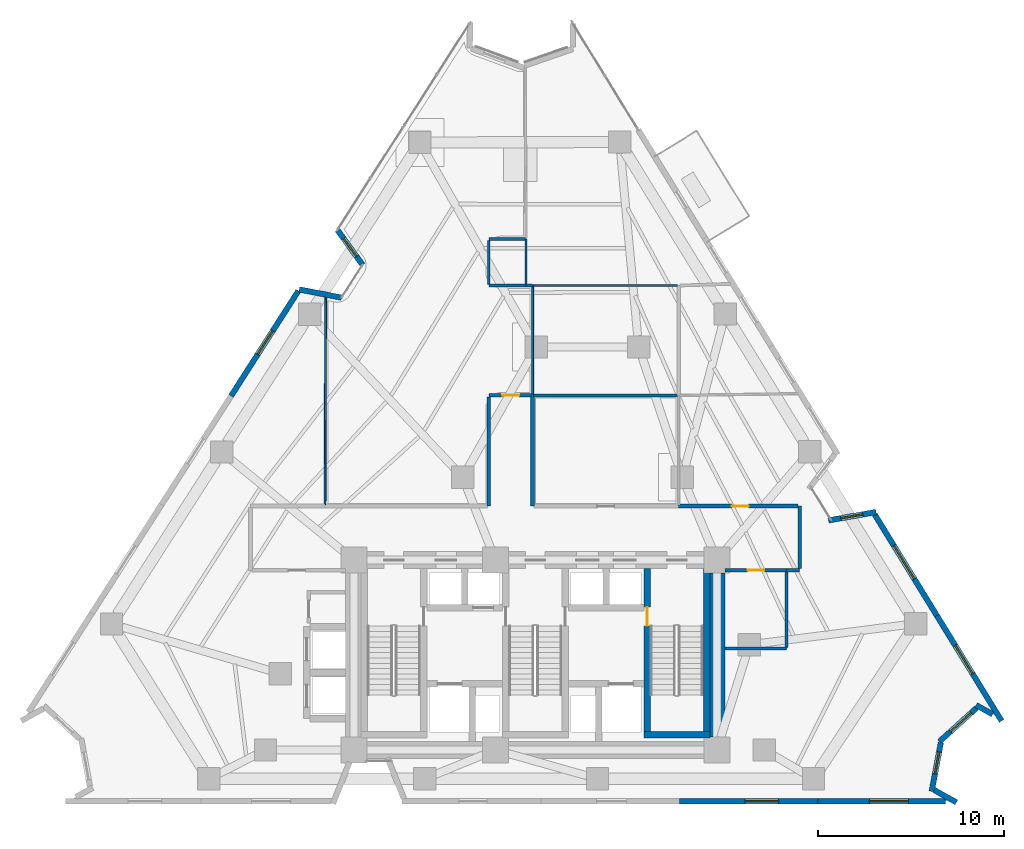
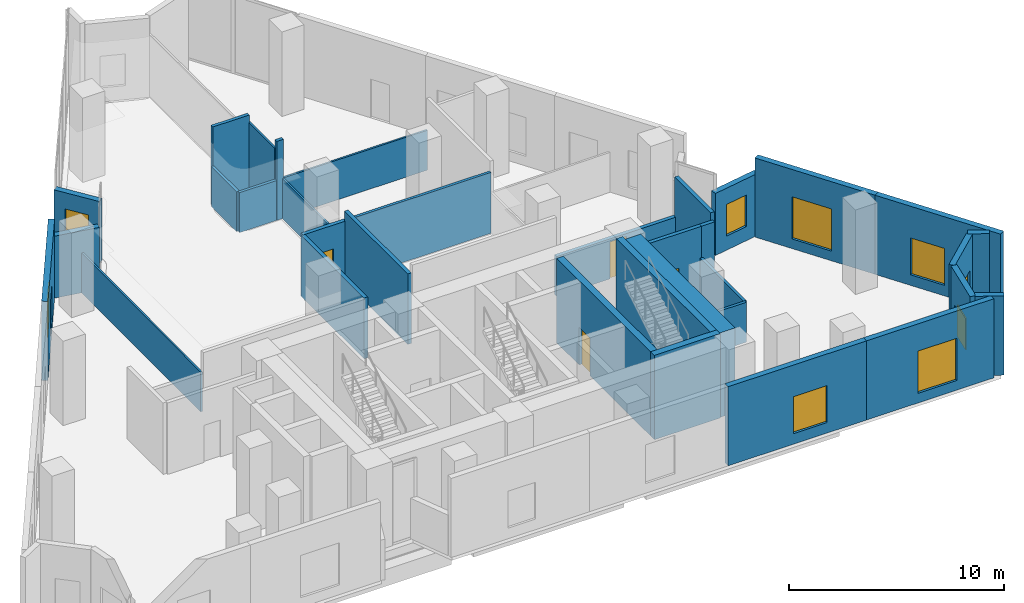
# One storey, part 8 of 13: 34 walls, 9 windows, 4 doors, 13 openings.
"""IFC4 building model written with IfcOpenShell, lengths in metres."""

import ifcopenshell
import ifcopenshell.guid

model = None  # the IFC model being written
_history = None  # IfcOwnerHistory: only IFC2X3 demands one
_inside = {}  # id of a spatial element -> (the spatial element, [elements in it])
_under = {}  # id of a project, library or spatial element -> (it, [spatial elements below it])
_declared = {}  # id of a project -> (the project, [libraries it declares])
_typed = {}  # id of a type object -> (the type object, [elements of that type])
_made_of = {}  # id of a material, layer set ... -> (it, [elements and type objects made of it])


def new_model(schema):
    """Start an empty IFC model of exactly this schema.

    Asked for "IFC4X3", IfcOpenShell would pick the latest addendum, in which some entities
    have other attributes; the version numbers below select the first issue.
    IFC2X3 requires an IfcOwnerHistory on every rooted entity: one is made here for all.
    """
    global model, _history
    if schema == "IFC4X3":
        model = ifcopenshell.file(schema_version=(4, 3, 0, 0))
    else:
        model = ifcopenshell.file(schema=schema)
    _inside.clear()
    _under.clear()
    _declared.clear()
    _typed.clear()
    _made_of.clear()
    _history = None
    if model.schema == "IFC2X3":
        org = make("IfcOrganization", Name="unknown")
        user = make(
            "IfcPersonAndOrganization",
            ThePerson=make("IfcPerson", FamilyName="unknown"),
            TheOrganization=org,
        )
        app = make(
            "IfcApplication",
            ApplicationDeveloper=org,
            Version="unknown",
            ApplicationFullName="unknown",
            ApplicationIdentifier="unknown",
        )
        _history = make(
            "IfcOwnerHistory",
            OwningUser=user,
            OwningApplication=app,
            ChangeAction="ADDED",
            CreationDate=0,
        )
    return model


def make(cls, **values):
    """One entity of the class cls with the attributes given. An attribute that is None is left unset."""
    return model.create_entity(
        cls, **{name: value for name, value in values.items() if value is not None}
    )


def rooted(cls, **values):
    """An entity with a GlobalId (a new one), such as an element, a storey or a relation."""
    return make(cls, GlobalId=ifcopenshell.guid.new(), OwnerHistory=_history, **values)


def si_unit(unit_type, name, prefix=None):
    """IfcSIUnit, for example si_unit("LENGTHUNIT", "METRE", prefix="MILLI")."""
    return make("IfcSIUnit", UnitType=unit_type, Prefix=prefix, Name=name)


def assignment(units):
    """IfcUnitAssignment: the units of a project."""
    return None if units is None else make("IfcUnitAssignment", Units=units)


def point(xyz):
    """IfcCartesianPoint."""
    return None if xyz is None else make("IfcCartesianPoint", Coordinates=xyz)


def direction(xyz):
    """IfcDirection."""
    return None if xyz is None else make("IfcDirection", DirectionRatios=xyz)


def frame(location, z_axis=None, x_axis=None):
    """IfcAxis2Placement3D, a coordinate frame: its origin and axes. An axis left out is left unset."""
    return make(
        "IfcAxis2Placement3D",
        Location=point(location),
        Axis=direction(z_axis),
        RefDirection=direction(x_axis),
    )


def frame_2d(location, x_axis=None):
    """IfcAxis2Placement2D, a coordinate frame in the plane: its origin and x axis."""
    return make(
        "IfcAxis2Placement2D", Location=point(location), RefDirection=direction(x_axis)
    )


def origin():
    """The frame at (0, 0, 0) with its axes left unset."""
    return frame((0.0, 0.0, 0.0))


def place(relative_to, where):
    """IfcLocalPlacement: puts the frame where relative to a parent placement (None: the world)."""
    return make(
        "IfcLocalPlacement", PlacementRelTo=relative_to, RelativePlacement=where
    )


def context(
    kind, dimensions, precision=None, world=None, true_north=None, identifier=None
):
    """IfcGeometricRepresentationContext, for example the 3D "Model" context."""
    return make(
        "IfcGeometricRepresentationContext",
        ContextIdentifier=identifier,
        ContextType=kind,
        CoordinateSpaceDimension=dimensions,
        Precision=precision,
        WorldCoordinateSystem=world,
        TrueNorth=true_north,
    )


def subcontext(parent, identifier, kind, view, scale=None):
    """IfcGeometricRepresentationSubContext, for example "Body" below "Model"."""
    return make(
        "IfcGeometricRepresentationSubContext",
        ContextIdentifier=identifier,
        ContextType=kind,
        ParentContext=parent,
        TargetScale=scale,
        TargetView=view,
    )


def project(units=None, contexts=None):
    """IfcProject with its units and contexts."""
    return rooted(
        "IfcProject",
        Name="project",
        RepresentationContexts=contexts,
        UnitsInContext=assignment(units),
    )


def spatial(cls, under=None, at=None, **own):
    """A site, building, storey or space (cls), placed at a placement, below another one or the project."""
    s = rooted(cls, ObjectPlacement=at, **own)
    if under is not None:
        _under.setdefault(under.id(), (under, []))[1].append(s)
    return s


def profile(cls, at=None, kind="AREA", **sizes):
    """A parametric profile (cls). Its sizes go by their IFC names, for example OverallWidth=200.0."""
    return make(cls, ProfileType=kind, Position=at, **sizes)


def rectangle(**sizes):
    """IfcRectangleProfileDef."""
    return profile("IfcRectangleProfileDef", **sizes)


def extrude(swept, where, along, depth):
    """IfcExtrudedAreaSolid: the profile swept, set in the frame where, extruded along a direction by depth."""
    return make(
        "IfcExtrudedAreaSolid",
        SweptArea=swept,
        Position=where,
        ExtrudedDirection=direction(along),
        Depth=depth,
    )


def shape(context_of_items, identifier, shape_type, items):
    """IfcShapeRepresentation: the items that make up one representation, for example the "Body"."""
    return make(
        "IfcShapeRepresentation",
        ContextOfItems=context_of_items,
        RepresentationIdentifier=identifier,
        RepresentationType=shape_type,
        Items=items,
    )


def material(Name=None, Category=None):
    """IfcMaterial."""
    return make("IfcMaterial", Name=Name, Category=Category)


def layer(
    of_material, thickness, ventilated=None, Name=None, Category=None, Priority=None
):
    """IfcMaterialLayer: one layer of a wall or slab, of a material (None: an air gap)."""
    return make(
        "IfcMaterialLayer",
        Material=of_material,
        LayerThickness=thickness,
        IsVentilated=ventilated,
        Name=Name,
        Category=Category,
        Priority=Priority,
    )


def layer_set(layers, Name=None):
    """IfcMaterialLayerSet."""
    return make("IfcMaterialLayerSet", MaterialLayers=layers, LayerSetName=Name)


def made_of(thing, what):
    """Note that an element or type object is made of a material, layer set ...; save() writes the relation."""
    if what is not None:
        _made_of.setdefault(what.id(), (what, []))[1].append(thing)
    return thing


def type_object(cls, material=None, **own):
    """A type object (cls), such as IfcWallType, which elements share."""
    return made_of(rooted(cls, **own), material)


def element(
    cls,
    number,
    at=None,
    inside=None,
    cuts=None,
    type_object=None,
    material=None,
    context=None,
    identifier="Body",
    shape_type=None,
    held_by="IfcProductDefinitionShape",
    body=None,
    shapes=None,
    **own,
):
    """One element of the class cls, such as IfcWall. Its Tag is "e" and its number.

    at: its placement. inside: the storey or other place that contains it. cuts: it is an
    opening in that element (IfcRelVoidsElement). A single representation is given by context,
    identifier, shape_type and body (its items); several are given by shapes. held_by: the class
    of the entity that holds the representations. save() writes the other relations.
    """
    e = rooted(cls, Tag="e%d" % number, ObjectPlacement=at, **own)
    if body is not None:
        shapes = [shape(context, identifier, shape_type, body)]
    if shapes is not None:
        e.Representation = make(held_by, Representations=shapes)
    if inside is not None:
        _inside.setdefault(inside.id(), (inside, []))[1].append(e)
    if cuts is not None:
        rooted(
            "IfcRelVoidsElement", RelatingBuildingElement=cuts, RelatedOpeningElement=e
        )
    if type_object is not None:
        _typed.setdefault(type_object.id(), (type_object, []))[1].append(e)
    return made_of(e, material)


def fill(opening, filler):
    """IfcRelFillsElement: the door or window that sits in an opening."""
    return rooted(
        "IfcRelFillsElement",
        RelatingOpeningElement=opening,
        RelatedBuildingElement=filler,
    )


def aggregate(whole, parts):
    """IfcRelAggregates: a whole, such as a stair, and the parts it consists of."""
    return rooted("IfcRelAggregates", RelatingObject=whole, RelatedObjects=parts)


def save(model, path):
    """Write the relations noted so far, then the file.

    IfcRelAggregates (storeys below a building ...), IfcRelContainedInSpatialStructure (elements
    in a storey), IfcRelDefinesByType, IfcRelAssociatesMaterial and IfcRelDeclares: one each for
    every whole, place, type object, material and project.
    """
    for whole, parts in _under.values():
        aggregate(whole, parts)
    for where, things in _inside.values():
        rooted(
            "IfcRelContainedInSpatialStructure",
            RelatedElements=things,
            RelatingStructure=where,
        )
    for kind, things in _typed.values():
        rooted("IfcRelDefinesByType", RelatedObjects=things, RelatingType=kind)
    for what, things in _made_of.values():
        rooted("IfcRelAssociatesMaterial", RelatedObjects=things, RelatingMaterial=what)
    for by, libraries in _declared.values():
        rooted("IfcRelDeclares", RelatingContext=by, RelatedDefinitions=libraries)
    model.write(path)


model = new_model("IFC4")

# Units and contexts
model_context = context("Model", 3, precision=1e-05, world=origin(), true_north=direction((0.0, 1.0)))
body_context = subcontext(model_context, "Body", "Model", "MODEL_VIEW")
ifc_project = project(units=[si_unit("LENGTHUNIT", "METRE"), si_unit("AREAUNIT", "SQUARE_METRE"), si_unit("VOLUMEUNIT", "CUBIC_METRE"), si_unit("PLANEANGLEUNIT", "RADIAN"), si_unit("MASSUNIT", "GRAM", prefix="KILO")], contexts=[model_context])

# Site, building, storey
site_placement = place(None, origin())
site = spatial("IfcSite", under=ifc_project, at=site_placement, CompositionType="ELEMENT")
building_placement = place(site_placement, origin())
building = spatial("IfcBuilding", under=site, at=building_placement, Name="Almagre Mirador Tower", CompositionType="ELEMENT")
storey_placement = place(building_placement, frame((0.0, 0.0, 100.199951171875)))
storey = spatial("IfcBuildingStorey", under=building, at=storey_placement, Name="L25", CompositionType="ELEMENT", Elevation=100.199951171875)

# Wall
ifc_material_1 = material(Name="Precast concrete C50/60", Category="concrete")
ifc_layer_1 = layer(ifc_material_1, 0.300048828125)
ifc_layer_set_1 = layer_set([ifc_layer_1], Name="Precast concrete C50/60")
wall_type_1 = type_object("IfcWallType", Name="WAL-EXT-300", PredefinedType="SOLIDWALL", material=ifc_layer_set_1)
wall_1_placement = place(storey_placement, frame((24.613037109375, 29.291015625, 0.0), z_axis=(0.0, 0.0, 1.0), x_axis=(0.981763339694, -0.190107193008, 0.0)))
element("IfcWall", 1, at=wall_1_placement, inside=storey, type_object=wall_type_1, Name="L25 expressed almagre precast frame wall 01", PredefinedType="SOLIDWALL", context=body_context, shape_type="SweptSolid", body=[
    extrude(rectangle(XDim=2.314208984375, YDim=0.300048828125, at=frame_2d((1.1572265625, 0.0))), origin(), (0.0, 0.0, 1.0), 3.525146484375),
])

# Wall, opening, window
wall_2_placement = place(storey_placement, frame((28.011962890625, 30.611083984375, 0.0), z_axis=(0.0, 0.0, 1.0), x_axis=(-0.58298359523, 0.812483924575, 0.0)))
wall_2 = element("IfcWall", 2, at=wall_2_placement, inside=storey, type_object=wall_type_1, Name="L25 expressed almagre precast frame wall 02", PredefinedType="SOLIDWALL", context=body_context, shape_type="SweptSolid", body=[
    extrude(rectangle(XDim=2.313720703125, YDim=0.300048828125, at=frame_2d((1.15673828125, 0.0))), origin(), (0.0, 0.0, 1.0), 3.525146484375),
])
opening_1_placement = place(wall_2_placement, frame((0.550048828125, 0.0, 0.800048828125)))
opening_1 = element("IfcOpeningElement", 3, at=opening_1_placement, cuts=wall_2, Name="Opening WN-04", PredefinedType="OPENING", context=body_context, shape_type="SweptSolid", body=[
    extrude(rectangle(XDim=1.199951171875, YDim=1.800048828125, at=frame_2d((0.60009765625, 0.89990234375))), frame((0.0, 0.159902, 0.0), z_axis=(0.0, -1.0, 0.0), x_axis=(1.0, 0.0, 0.0)), (0.0, 0.0, 1.0), 0.320049),
])
ifc_material_2 = material(Name="Dark solar-control laminated hurricane glass", Category="glass")
window_type_1 = type_object("IfcWindowType", Name="WIN-1200X1800", PartitioningType="SINGLE_PANEL", PredefinedType="WINDOW", material=ifc_material_2)
window_1_placement = place(opening_1_placement, origin())
window_1 = element("IfcWindow", 4, at=window_1_placement, inside=storey, type_object=window_type_1, Name="L25 recessed hurricane window L25-SLNG-2", OverallHeight=1.800048828125, OverallWidth=1.199951171875, PartitioningType="SINGLE_PANEL", PredefinedType="WINDOW", context=body_context, shape_type="SweptSolid", body=[
    extrude(rectangle(XDim=1.199951171875, YDim=1.800048828125, at=frame_2d((0.60009765625, 0.89990234375))), frame((0.0, 0.030029296875, 0.0), z_axis=(0.0, -1.0, 0.0), x_axis=(1.0, 0.0, 0.0)), (0.0, 0.0, 1.0), 0.06005859375),
])
fill(opening_1, window_1)

wall_3_placement = place(storey_placement, frame((53.050048828125, 16.885009765625, 0.0), z_axis=(0.0, 0.0, 1.0), x_axis=(0.985111445614, 0.171916955883, 0.0)))
wall_3 = element("IfcWall", 5, at=wall_3_placement, inside=storey, type_object=wall_type_1, Name="L25 expressed almagre precast frame wall 11", PredefinedType="SOLIDWALL", context=body_context, shape_type="SweptSolid", body=[
    extrude(rectangle(XDim=2.594482421875, YDim=0.300048828125, at=frame_2d((1.29736328125, 0.0))), origin(), (0.0, 0.0, 1.0), 3.525146484375),
])
opening_2_placement = place(wall_3_placement, frame((0.675048828125, 0.0, 0.800048828125)))
opening_2 = element("IfcOpeningElement", 6, at=opening_2_placement, cuts=wall_3, Name="Opening WN-04", PredefinedType="OPENING", context=body_context, shape_type="SweptSolid", body=[
    extrude(rectangle(XDim=1.199951171875, YDim=1.800048828125, at=frame_2d((0.60009765625, 0.89990234375))), frame((0.0, 0.159902, 0.0), z_axis=(0.0, -1.0, 0.0), x_axis=(1.0, 0.0, 0.0)), (0.0, 0.0, 1.0), 0.320049),
])
window_2_placement = place(opening_2_placement, origin())
window_2 = element("IfcWindow", 7, at=window_2_placement, inside=storey, type_object=window_type_1, Name="L25 recessed hurricane window L25-SOFF", OverallHeight=1.800048828125, OverallWidth=1.199951171875, PartitioningType="SINGLE_PANEL", PredefinedType="WINDOW", context=body_context, shape_type="SweptSolid", body=[
    extrude(rectangle(XDim=1.199951171875, YDim=1.800048828125, at=frame_2d((0.60009765625, 0.89990234375))), frame((0.0, 0.030029296875, 0.0), z_axis=(0.0, -1.0, 0.0), x_axis=(1.0, 0.0, 0.0)), (0.0, 0.0, 1.0), 0.06005859375),
])
fill(opening_2, window_2)

wall_4_placement = place(storey_placement, frame((55.538818359375, 17.19189453125, 0.0), z_axis=(0.0, 0.0, 1.0), x_axis=(0.523675835353, -0.851917613075, 0.0)))
wall_4 = element("IfcWall", 8, at=wall_4_placement, inside=storey, type_object=wall_type_1, Name="L25 expressed almagre precast frame wall 12", PredefinedType="SOLIDWALL", context=body_context, shape_type="SweptSolid", body=[
    extrude(rectangle(XDim=6.365966796875, YDim=0.300048828125, at=frame_2d((3.18310546875, 0.0))), origin(), (0.0, 0.0, 1.0), 4.5),
])
opening_3_placement = place(wall_4_placement, frame((1.949951171875, 0.0, 0.550048828125)))
opening_3 = element("IfcOpeningElement", 9, at=opening_3_placement, cuts=wall_4, Name="Opening WN-05", PredefinedType="OPENING", context=body_context, shape_type="SweptSolid", body=[
    extrude(rectangle(XDim=2.10009765625, YDim=2.39990234375, at=frame_2d((1.050048828125, 1.199951171875))), frame((0.0, 0.159902, 0.0), z_axis=(0.0, -1.0, 0.0), x_axis=(1.0, 0.0, 0.0)), (0.0, 0.0, 1.0), 0.320049),
])
ifc_material_3 = material(Name="Dark solar-control laminated hurricane glass", Category="glass")
window_type_2 = type_object("IfcWindowType", Name="WIN-2100X2400", PartitioningType="DOUBLE_PANEL_VERTICAL", PredefinedType="WINDOW", material=ifc_material_3)
window_3_placement = place(opening_3_placement, origin())
window_3 = element("IfcWindow", 10, at=window_3_placement, inside=storey, type_object=window_type_2, Name="L25 recessed hurricane window L25-SOFF", OverallHeight=2.39990234375, OverallWidth=2.10009765625, PartitioningType="SINGLE_PANEL", PredefinedType="WINDOW", context=body_context, shape_type="SweptSolid", body=[
    extrude(rectangle(XDim=2.10009765625, YDim=2.39990234375, at=frame_2d((1.050048828125, 1.199951171875))), frame((0.0, 0.030029296875, 0.0), z_axis=(0.0, -1.0, 0.0), x_axis=(1.0, 0.0, 0.0)), (0.0, 0.0, 1.0), 0.06005859375),
])
fill(opening_3, window_3)

wall_5_placement = place(storey_placement, frame((58.87255859375, 11.7685546875, 0.0), z_axis=(0.0, 0.0, 1.0), x_axis=(0.523656384602, -0.851929569193, 0.0)))
wall_5 = element("IfcWall", 11, at=wall_5_placement, inside=storey, type_object=wall_type_1, Name="L25 expressed almagre precast frame wall 13", PredefinedType="SOLIDWALL", context=body_context, shape_type="SweptSolid", body=[
    extrude(rectangle(XDim=6.641357421875, YDim=0.300048828125, at=frame_2d((3.32080078125, 0.0))), origin(), (0.0, 0.0, 1.0), 4.5),
])
opening_4_placement = place(wall_5_placement, frame((1.875, 0.0, 0.60009765625)))
opening_4 = element("IfcOpeningElement", 12, at=opening_4_placement, cuts=wall_5, Name="Opening WN-01", PredefinedType="OPENING", context=body_context, shape_type="SweptSolid", body=[
    extrude(rectangle(XDim=1.800048828125, YDim=2.10009765625, at=frame_2d((0.89990234375, 1.050048828125))), frame((0.0, 0.159902, 0.0), z_axis=(0.0, -1.0, 0.0), x_axis=(1.0, 0.0, 0.0)), (0.0, 0.0, 1.0), 0.320049),
])
ifc_material_4 = material(Name="Dark solar-control laminated hurricane glass", Category="glass")
window_type_3 = type_object("IfcWindowType", Name="WIN-1800X2100", PartitioningType="DOUBLE_PANEL_VERTICAL", PredefinedType="WINDOW", material=ifc_material_4)
window_4_placement = place(opening_4_placement, origin())
window_4 = element("IfcWindow", 13, at=window_4_placement, inside=storey, type_object=window_type_3, Name="L25 recessed hurricane window L25-SOFF", OverallHeight=2.10009765625, OverallWidth=1.800048828125, PartitioningType="SINGLE_PANEL", PredefinedType="WINDOW", context=body_context, shape_type="SweptSolid", body=[
    extrude(rectangle(XDim=1.800048828125, YDim=2.10009765625, at=frame_2d((0.89990234375, 1.050048828125))), frame((0.0, 0.030029296875, 0.0), z_axis=(0.0, -1.0, 0.0), x_axis=(1.0, 0.0, 0.0)), (0.0, 0.0, 1.0), 0.06005859375),
])
fill(opening_4, window_4)

# Wall
wall_6_placement = place(storey_placement, frame((61.866943359375, 6.45947265625, 0.0), z_axis=(0.0, 0.0, 1.0), x_axis=(-0.872685545576, 0.488282642066, 0.0)))
element("IfcWall", 14, at=wall_6_placement, inside=storey, type_object=wall_type_1, Name="L25 expressed almagre precast frame wall 14", PredefinedType="SOLIDWALL", context=body_context, shape_type="SweptSolid", body=[
    extrude(rectangle(XDim=1.02001953125, YDim=0.300048828125, at=frame_2d((0.510009765625, 0.0))), origin(), (0.0, 0.0, 1.0), 4.5),
])

# Wall, opening, window
wall_7_placement = place(storey_placement, frame((60.9990234375, 6.79833984375, 0.0), z_axis=(0.0, 0.0, 1.0), x_axis=(-0.741182164613, -0.671303954151, 0.0)))
wall_7 = element("IfcWall", 15, at=wall_7_placement, inside=storey, type_object=wall_type_1, Name="L25 expressed almagre precast frame wall 15", PredefinedType="SOLIDWALL", context=body_context, shape_type="SweptSolid", body=[
    extrude(rectangle(XDim=2.683349609375, YDim=0.300048828125, at=frame_2d((1.341796875, 0.0))), origin(), (0.0, 0.0, 1.0), 4.5),
])
opening_5_placement = place(wall_7_placement, frame((0.375, 0.0, 0.60009765625)))
opening_5 = element("IfcOpeningElement", 16, at=opening_5_placement, cuts=wall_7, Name="Opening WN-03", PredefinedType="OPENING", context=body_context, shape_type="SweptSolid", body=[
    extrude(rectangle(XDim=1.5, YDim=2.10009765625, at=frame_2d((0.75, 1.050048828125))), frame((0.0, 0.159902, 0.0), z_axis=(0.0, -1.0, 0.0), x_axis=(1.0, 0.0, 0.0)), (0.0, 0.0, 1.0), 0.320049),
])
ifc_material_5 = material(Name="Dark solar-control laminated hurricane glass", Category="glass")
window_type_4 = type_object("IfcWindowType", Name="WIN-1500X2100", PartitioningType="DOUBLE_PANEL_VERTICAL", PredefinedType="WINDOW", material=ifc_material_5)
window_5_placement = place(opening_5_placement, origin())
window_5 = element("IfcWindow", 17, at=window_5_placement, inside=storey, type_object=window_type_4, Name="L25 recessed hurricane window L25-SOFF", OverallHeight=2.10009765625, OverallWidth=1.5, PartitioningType="SINGLE_PANEL", PredefinedType="WINDOW", context=body_context, shape_type="SweptSolid", body=[
    extrude(rectangle(XDim=1.5, YDim=2.10009765625, at=frame_2d((0.75, 1.050048828125))), frame((0.0, 0.030029296875, 0.0), z_axis=(0.0, -1.0, 0.0), x_axis=(1.0, 0.0, 0.0)), (0.0, 0.0, 1.0), 0.06005859375),
])
fill(opening_5, window_5)

wall_8_placement = place(storey_placement, frame((59.08642578125, 4.943603515625, 0.0), z_axis=(0.0, 0.0, 1.0), x_axis=(-0.183763588347, -0.982970469342, 0.0)))
wall_8 = element("IfcWall", 18, at=wall_8_placement, inside=storey, type_object=wall_type_1, Name="L25 expressed almagre precast frame wall 16", PredefinedType="SOLIDWALL", context=body_context, shape_type="SweptSolid", body=[
    extrude(rectangle(XDim=2.667724609375, YDim=0.300048828125, at=frame_2d((1.333984375, 0.0))), origin(), (0.0, 0.0, 1.0), 4.5),
])
opening_6_placement = place(wall_8_placement, frame((0.510009765625, 0.0, 0.800048828125)))
opening_6 = element("IfcOpeningElement", 19, at=opening_6_placement, cuts=wall_8, Name="Opening WN-04", PredefinedType="OPENING", context=body_context, shape_type="SweptSolid", body=[
    extrude(rectangle(XDim=1.199951171875, YDim=1.800048828125, at=frame_2d((0.60009765625, 0.89990234375))), frame((0.0, 0.159902, 0.0), z_axis=(0.0, -1.0, 0.0), x_axis=(1.0, 0.0, 0.0)), (0.0, 0.0, 1.0), 0.320049),
])
window_6_placement = place(opening_6_placement, origin())
window_6 = element("IfcWindow", 20, at=window_6_placement, inside=storey, type_object=window_type_1, Name="L25 recessed hurricane window L25-SOFF", OverallHeight=1.800048828125, OverallWidth=1.199951171875, PartitioningType="SINGLE_PANEL", PredefinedType="WINDOW", context=body_context, shape_type="SweptSolid", body=[
    extrude(rectangle(XDim=1.199951171875, YDim=1.800048828125, at=frame_2d((0.60009765625, 0.89990234375))), frame((0.0, 0.030029296875, 0.0), z_axis=(0.0, -1.0, 0.0), x_axis=(1.0, 0.0, 0.0)), (0.0, 0.0, 1.0), 0.06005859375),
])
fill(opening_6, window_6)

# Wall
wall_9_placement = place(storey_placement, frame((58.7353515625, 2.3955078125, 0.0), z_axis=(0.0, 0.0, 1.0), x_axis=(0.872747775204, -0.488171405221, 0.0)))
element("IfcWall", 21, at=wall_9_placement, inside=storey, type_object=wall_type_1, Name="L25 expressed almagre precast frame wall 17", PredefinedType="SOLIDWALL", context=body_context, shape_type="SweptSolid", body=[
    extrude(rectangle(XDim=1.35986328125, YDim=0.300048828125, at=frame_2d((0.679931640625, 0.0))), origin(), (0.0, 0.0, 1.0), 4.5),
])

# Wall, opening, window
wall_10_placement = place(storey_placement, frame((59.340087890625, 1.800048828125, 0.0), z_axis=(0.0, 0.0, 1.0), x_axis=(-1.0, 0.0, 0.0)))
wall_10 = element("IfcWall", 22, at=wall_10_placement, inside=storey, type_object=wall_type_1, Name="L25 expressed almagre precast frame wall 18", PredefinedType="SOLIDWALL", context=body_context, shape_type="SweptSolid", body=[
    extrude(rectangle(XDim=6.84912109375, YDim=0.300048828125, at=frame_2d((3.424560546875, 0.0))), origin(), (0.0, 0.0, 1.0), 4.5),
])
opening_7_placement = place(wall_10_placement, frame((2.0, 0.0, 0.550048828125)))
opening_7 = element("IfcOpeningElement", 23, at=opening_7_placement, cuts=wall_10, Name="Opening WN-05", PredefinedType="OPENING", context=body_context, shape_type="SweptSolid", body=[
    extrude(rectangle(XDim=2.10009765625, YDim=2.39990234375, at=frame_2d((1.050048828125, 1.199951171875))), frame((0.0, 0.159902, 0.0), z_axis=(0.0, -1.0, 0.0), x_axis=(1.0, 0.0, 0.0)), (0.0, 0.0, 1.0), 0.320049),
])
window_7_placement = place(opening_7_placement, origin())
window_7 = element("IfcWindow", 24, at=window_7_placement, inside=storey, type_object=window_type_2, Name="L25 recessed hurricane window L25-SOFF", OverallHeight=2.39990234375, OverallWidth=2.10009765625, PartitioningType="SINGLE_PANEL", PredefinedType="WINDOW", context=body_context, shape_type="SweptSolid", body=[
    extrude(rectangle(XDim=2.10009765625, YDim=2.39990234375, at=frame_2d((1.050048828125, 1.199951171875))), frame((0.0, 0.030029296875, 0.0), z_axis=(0.0, -1.0, 0.0), x_axis=(1.0, 0.0, 0.0)), (0.0, 0.0, 1.0), 0.06005859375),
])
fill(opening_7, window_7)

wall_11_placement = place(storey_placement, frame((52.490966796875, 1.800048828125, 0.0), z_axis=(0.0, 0.0, 1.0), x_axis=(-1.0, 0.0, 0.0)))
wall_11 = element("IfcWall", 25, at=wall_11_placement, inside=storey, type_object=wall_type_1, Name="L25 expressed almagre precast frame wall 19", PredefinedType="SOLIDWALL", context=body_context, shape_type="SweptSolid", body=[
    extrude(rectangle(XDim=7.448974609375, YDim=0.300048828125, at=frame_2d((3.724609375, 0.0))), origin(), (0.0, 0.0, 1.0), 4.5),
])
opening_8_placement = place(wall_11_placement, frame((2.125, 0.0, 0.60009765625)))
opening_8 = element("IfcOpeningElement", 26, at=opening_8_placement, cuts=wall_11, Name="Opening WN-01", PredefinedType="OPENING", context=body_context, shape_type="SweptSolid", body=[
    extrude(rectangle(XDim=1.800048828125, YDim=2.10009765625, at=frame_2d((0.89990234375, 1.050048828125))), frame((0.0, 0.159902, 0.0), z_axis=(0.0, -1.0, 0.0), x_axis=(1.0, 0.0, 0.0)), (0.0, 0.0, 1.0), 0.320049),
])
window_8_placement = place(opening_8_placement, origin())
window_8 = element("IfcWindow", 27, at=window_8_placement, inside=storey, type_object=window_type_3, Name="L25 recessed hurricane window L25-SCAF-3", OverallHeight=2.10009765625, OverallWidth=1.800048828125, PartitioningType="SINGLE_PANEL", PredefinedType="WINDOW", context=body_context, shape_type="SweptSolid", body=[
    extrude(rectangle(XDim=1.800048828125, YDim=2.10009765625, at=frame_2d((0.89990234375, 1.050048828125))), frame((0.0, 0.030029296875, 0.0), z_axis=(0.0, -1.0, 0.0), x_axis=(1.0, 0.0, 0.0)), (0.0, 0.0, 1.0), 0.06005859375),
])
fill(opening_8, window_8)

wall_12_placement = place(storey_placement, frame((20.94873046875, 23.57177734375, 0.0), z_axis=(0.0, 0.0, 1.0), x_axis=(0.539477433287, 0.842000058773, 0.0)))
wall_12 = element("IfcWall", 28, at=wall_12_placement, inside=storey, type_object=wall_type_1, Name="L25 expressed almagre precast frame wall 33", PredefinedType="SOLIDWALL", context=body_context, shape_type="SweptSolid", body=[
    extrude(rectangle(XDim=6.7021484375, YDim=0.300048828125, at=frame_2d((3.35107421875, 0.0))), origin(), (0.0, 0.0, 1.0), 4.5),
])
opening_9_placement = place(wall_12_placement, frame((2.64990234375, 0.0, 0.60009765625)))
opening_9 = element("IfcOpeningElement", 29, at=opening_9_placement, cuts=wall_12, Name="Opening WN-03", PredefinedType="OPENING", context=body_context, shape_type="SweptSolid", body=[
    extrude(rectangle(XDim=1.5, YDim=2.10009765625, at=frame_2d((0.75, 1.050048828125))), frame((0.0, 0.159902, 0.0), z_axis=(0.0, -1.0, 0.0), x_axis=(1.0, 0.0, 0.0)), (0.0, 0.0, 1.0), 0.320049),
])
window_9_placement = place(opening_9_placement, origin())
window_9 = element("IfcWindow", 30, at=window_9_placement, inside=storey, type_object=window_type_4, Name="L25 recessed hurricane window L25-SMTG", OverallHeight=2.10009765625, OverallWidth=1.5, PartitioningType="SINGLE_PANEL", PredefinedType="WINDOW", context=body_context, shape_type="SweptSolid", body=[
    extrude(rectangle(XDim=1.5, YDim=2.10009765625, at=frame_2d((0.75, 1.050048828125))), frame((0.0, 0.030029296875, 0.0), z_axis=(0.0, -1.0, 0.0), x_axis=(1.0, 0.0, 0.0)), (0.0, 0.0, 1.0), 0.06005859375),
])
fill(opening_9, window_9)

# Walls
ifc_material_6 = material(Name="Gypsum acoustic stud partition", Category="other")
ifc_layer_2 = layer(ifc_material_6, 0.10009765625)
ifc_layer_set_2 = layer_set([ifc_layer_2], Name="Gypsum acoustic stud partition")
wall_type_2 = type_object("IfcWallType", Name="WAL-PRT-100-CLS", PredefinedType="PARTITIONING", material=ifc_layer_set_2)
wall_13_placement = place(storey_placement, frame((36.800048828125, 29.56005859375, 0.0), z_axis=(0.0, 0.0, 1.0), x_axis=(0.0, 1.0, 0.0)))
element("IfcWall", 31, at=wall_13_placement, inside=storey, type_object=wall_type_2, Name="L25 interior partition 002", PredefinedType="PARTITIONING", context=body_context, shape_type="SweptSolid", body=[
    extrude(rectangle(XDim=2.43994140625, YDim=0.10009765625, at=frame_2d((1.219970703125, 0.0))), origin(), (0.0, 0.0, 1.0), 4.06103515625),
])
wall_14_placement = place(storey_placement, frame((37.14990234375, 23.60009765625, 0.0), z_axis=(0.0, 0.0, 1.0), x_axis=(0.0, 1.0, 0.0)))
element("IfcWall", 32, at=wall_14_placement, inside=storey, type_object=wall_type_2, Name="L25 interior partition 008", PredefinedType="PARTITIONING", context=body_context, shape_type="SweptSolid", body=[
    extrude(rectangle(XDim=5.89990234375, YDim=0.10009765625, at=frame_2d((2.949951171875, 0.0))), origin(), (0.0, 0.0, 1.0), 2.27001953125),
])
wall_15_placement = place(storey_placement, frame((44.927490234375, 29.5, 0.0), z_axis=(0.0, 0.0, 1.0), x_axis=(-1.0, 0.0, 0.0)))
element("IfcWall", 33, at=wall_15_placement, inside=storey, type_object=wall_type_2, Name="L25 interior partition 017", PredefinedType="PARTITIONING", context=body_context, shape_type="SweptSolid", body=[
    extrude(rectangle(XDim=7.742431640625, YDim=0.10009765625, at=frame_2d((3.87109375, 0.0))), origin(), (0.0, 0.0, 1.0), 2.27001953125),
])
wall_16_placement = place(storey_placement, frame((26.034912109375, 28.9169921875, 0.0), z_axis=(0.0, 0.0, 1.0), x_axis=(-0.003100354087, -0.999995193891, 0.0)))
element("IfcWall", 34, at=wall_16_placement, inside=storey, type_object=wall_type_2, Name="L25 interior partition 032", PredefinedType="PARTITIONING", context=body_context, shape_type="SweptSolid", body=[
    extrude(rectangle(XDim=11.181884765625, YDim=0.10009765625, at=frame_2d((5.5908203125, 0.0))), origin(), (0.0, 0.0, 1.0), 2.27001953125),
])
ifc_material_7 = material(Name="Gypsum acoustic stud partition", Category="other")
ifc_layer_3 = layer(ifc_material_7, 0.14990234375)
ifc_layer_set_3 = layer_set([ifc_layer_3], Name="Gypsum acoustic stud partition")
wall_type_3 = type_object("IfcWallType", Name="WAL-PRT-150-STD", PredefinedType="PARTITIONING", material=ifc_layer_set_3)
wall_17_placement = place(storey_placement, frame((34.800048828125, 29.5, 0.0), z_axis=(0.0, 0.0, 1.0), x_axis=(1.0, 0.0, 0.0)))
element("IfcWall", 35, at=wall_17_placement, inside=storey, type_object=wall_type_3, Name="L25 interior partition 001", PredefinedType="PARTITIONING", context=body_context, shape_type="SweptSolid", body=[
    extrude(rectangle(XDim=2.0, YDim=0.14990234375, at=frame_2d((1.0, 0.0))), origin(), (0.0, 0.0, 1.0), 2.27001953125),
])
wall_18_placement = place(storey_placement, frame((34.800048828125, 31.927490234375, 0.0), z_axis=(0.0, 0.0, 1.0), x_axis=(0.0, -1.0, 0.0)))
element("IfcWall", 36, at=wall_18_placement, inside=storey, type_object=wall_type_3, Name="L25 interior partition 004", PredefinedType="PARTITIONING", context=body_context, shape_type="SweptSolid", body=[
    extrude(rectangle(XDim=2.367431640625, YDim=0.14990234375, at=frame_2d((1.18359375, 0.0))), origin(), (0.0, 0.0, 1.0), 2.27001953125),
])
wall_19_placement = place(storey_placement, frame((47.5, 10.0, 0.0), z_axis=(0.0, 0.0, 1.0), x_axis=(1.0, 0.0, 0.0)))
element("IfcWall", 37, at=wall_19_placement, inside=storey, type_object=wall_type_3, Name="L25 interior partition 005", PredefinedType="PARTITIONING", context=body_context, shape_type="SweptSolid", body=[
    extrude(rectangle(XDim=3.300048828125, YDim=0.14990234375, at=frame_2d((1.64990234375, 0.0))), origin(), (0.0, 0.0, 1.0), 2.27001953125),
])
wall_20_placement = place(storey_placement, frame((50.800048828125, 10.06005859375, 0.0), z_axis=(0.0, 0.0, 1.0), x_axis=(0.0, 1.0, 0.0)))
element("IfcWall", 38, at=wall_20_placement, inside=storey, type_object=wall_type_3, Name="L25 interior partition 007", PredefinedType="PARTITIONING", context=body_context, shape_type="SweptSolid", body=[
    extrude(rectangle(XDim=4.054931640625, YDim=0.14990234375, at=frame_2d((2.02734375, 0.0))), origin(), (0.0, 0.0, 1.0), 2.27001953125),
])
wall_21_placement = place(storey_placement, frame((37.18505859375, 23.60009765625, 0.0), z_axis=(0.0, 0.0, 1.0), x_axis=(1.0, 0.0, 0.0)))
element("IfcWall", 39, at=wall_21_placement, inside=storey, type_object=wall_type_3, Name="L25 interior partition 016", PredefinedType="PARTITIONING", context=body_context, shape_type="SweptSolid", body=[
    extrude(rectangle(XDim=7.742431640625, YDim=0.14990234375, at=frame_2d((3.87109375, 0.0))), origin(), (0.0, 0.0, 1.0), 3.458984375),
])
ifc_material_8 = material(Name="Gypsum acoustic stud partition", Category="other")
ifc_layer_4 = layer(ifc_material_8, 0.175048828125)
ifc_layer_set_4 = layer_set([ifc_layer_4], Name="Gypsum acoustic stud partition")
wall_type_4 = type_object("IfcWallType", Name="WAL-PRT-175-AC", PredefinedType="PARTITIONING", material=ifc_layer_set_4)
wall_22_placement = place(storey_placement, frame((36.764892578125, 32.0, 0.0), z_axis=(0.0, 0.0, 1.0), x_axis=(-1.0, 0.0, 0.0)))
element("IfcWall", 40, at=wall_22_placement, inside=storey, type_object=wall_type_4, Name="L25 interior partition 003", PredefinedType="PARTITIONING", context=body_context, shape_type="SweptSolid", body=[
    extrude(rectangle(XDim=1.96484375, YDim=0.175048828125, at=frame_2d((0.982421875, 0.0))), origin(), (0.0, 0.0, 1.0), 4.5),
])
wall_23_placement = place(storey_placement, frame((37.14990234375, 29.5, 0.0), z_axis=(0.0, 0.0, 1.0), x_axis=(-1.0, 0.0, 0.0)))
element("IfcWall", 41, at=wall_23_placement, inside=storey, type_object=wall_type_4, Name="L25 interior partition 009", PredefinedType="PARTITIONING", context=body_context, shape_type="SweptSolid", body=[
    extrude(rectangle(XDim=0.349853515625, YDim=0.175048828125, at=frame_2d((0.1748046875, 0.0))), origin(), (0.0, 0.0, 1.0), 4.5),
])

# Wall, opening, door
ifc_material_9 = material(Name="Gypsum acoustic stud partition", Category="other")
ifc_layer_5 = layer(ifc_material_9, 0.199951171875)
ifc_layer_set_5 = layer_set([ifc_layer_5], Name="Gypsum acoustic stud partition")
wall_type_5 = type_object("IfcWallType", Name="WAL-PRT-200-EI60", PredefinedType="PARTITIONING", material=ifc_layer_set_5)
wall_24_placement = place(storey_placement, frame((50.800048828125, 14.199951171875, 0.0), z_axis=(0.0, 0.0, 1.0), x_axis=(-1.0, 0.0, 0.0)))
wall_24 = element("IfcWall", 42, at=wall_24_placement, inside=storey, type_object=wall_type_5, Name="L25 interior partition 006", PredefinedType="PARTITIONING", context=body_context, shape_type="SweptSolid", body=[
    extrude(rectangle(XDim=3.300048828125, YDim=0.199951171875, at=frame_2d((1.64990234375, 0.0))), origin(), (0.0, 0.0, 1.0), 4.06103515625),
])
opening_10_placement = place(wall_24_placement, frame((1.199951171875, 0.0, 0.0)))
opening_10 = element("IfcOpeningElement", 43, at=opening_10_placement, cuts=wall_24, Name="Opening ID-03", PredefinedType="OPENING", context=body_context, shape_type="SweptSolid", body=[
    extrude(rectangle(XDim=0.89990234375, YDim=2.10009765625, at=frame_2d((0.449951171875, 1.050048828125))), frame((0.0, 0.110098, 0.0), z_axis=(0.0, -1.0, 0.0), x_axis=(1.0, 0.0, 0.0)), (0.0, 0.0, 1.0), 0.219951),
])
ifc_material_10 = material(Name="Fire-rated hollow steel", Category="steel")
door_type_1 = type_object("IfcDoorType", Name="DOR-FD60-900X2100", OperationType="NOTDEFINED", PredefinedType="DOOR", material=ifc_material_10)
door_1_placement = place(opening_10_placement, origin())
door_1 = element("IfcDoor", 44, at=door_1_placement, inside=storey, type_object=door_type_1, Name="DR-0855 L25 interior door L25-SWCA to L25-SCOR", OperationType="SINGLE_SWING_RIGHT", OverallHeight=2.10009765625, OverallWidth=0.89990234375, PredefinedType="DOOR", context=body_context, shape_type="SweptSolid", body=[
    extrude(rectangle(XDim=0.89990234375, YDim=2.10009765625, at=frame_2d((0.449951171875, 1.050048828125))), frame((0.0, 0.02490234375, 0.0), z_axis=(0.0, -1.0, 0.0), x_axis=(1.0, 0.0, 0.0)), (0.0, 0.0, 1.0), 0.050048828125),
])
fill(opening_10, door_1)

wall_25_placement = place(storey_placement, frame((34.800048828125, 23.60009765625, 0.0), z_axis=(0.0, 0.0, 1.0), x_axis=(1.0, 0.0, 0.0)))
wall_25 = element("IfcWall", 45, at=wall_25_placement, inside=storey, type_object=wall_type_5, Name="L25 interior partition 010", PredefinedType="PARTITIONING", context=body_context, shape_type="SweptSolid", body=[
    extrude(rectangle(XDim=2.31494140625, YDim=0.199951171875, at=frame_2d((1.157470703125, 0.0))), origin(), (0.0, 0.0, 1.0), 3.458984375),
])
opening_11_placement = place(wall_25_placement, frame((0.72509765625, 0.0, 0.0)))
opening_11 = element("IfcOpeningElement", 46, at=opening_11_placement, cuts=wall_25, Name="Opening ID-03", PredefinedType="OPENING", context=body_context, shape_type="SweptSolid", body=[
    extrude(rectangle(XDim=0.89990234375, YDim=2.10009765625, at=frame_2d((0.449951171875, 1.050048828125))), frame((0.0, 0.110098, 0.0), z_axis=(0.0, -1.0, 0.0), x_axis=(1.0, 0.0, 0.0)), (0.0, 0.0, 1.0), 0.219951),
])
door_2_placement = place(opening_11_placement, origin())
door_2 = element("IfcDoor", 47, at=door_2_placement, inside=storey, type_object=door_type_1, Name="DR-0851 L25 interior door L25-SBRS to L25-SCOR", OperationType="SINGLE_SWING_LEFT", OverallHeight=2.10009765625, OverallWidth=0.89990234375, PredefinedType="DOOR", context=body_context, shape_type="SweptSolid", body=[
    extrude(rectangle(XDim=0.89990234375, YDim=2.10009765625, at=frame_2d((0.449951171875, 1.050048828125))), frame((0.0, 0.02490234375, 0.0), z_axis=(0.0, -1.0, 0.0), x_axis=(1.0, 0.0, 0.0)), (0.0, 0.0, 1.0), 0.050048828125),
])
fill(opening_11, door_2)

# Walls
wall_26_placement = place(storey_placement, frame((37.14990234375, 23.550048828125, 0.0), z_axis=(0.0, 0.0, 1.0), x_axis=(0.0, -1.0, 0.0)))
element("IfcWall", 48, at=wall_26_placement, inside=storey, type_object=wall_type_5, Name="L25 interior partition 018", PredefinedType="PARTITIONING", context=body_context, shape_type="SweptSolid", body=[
    extrude(rectangle(XDim=5.900146484375, YDim=0.199951171875, at=frame_2d((2.9501953125, 0.0))), origin(), (0.0, 0.0, 1.0), 4.0029296875),
])
wall_27_placement = place(storey_placement, frame((50.800048828125, 14.199951171875, 0.0), z_axis=(0.0, 0.0, 1.0), x_axis=(1.0, 0.0, 0.0)))
element("IfcWall", 49, at=wall_27_placement, inside=storey, type_object=wall_type_5, Name="L25 interior partition 024", PredefinedType="PARTITIONING", context=body_context, shape_type="SweptSolid", body=[
    extrude(rectangle(XDim=0.699951171875, YDim=0.199951171875, at=frame_2d((0.35009765625, 0.0))), origin(), (0.0, 0.0, 1.0), 4.06103515625),
])
wall_28_placement = place(storey_placement, frame((51.5, 14.284912109375, 0.0), z_axis=(0.0, 0.0, 1.0), x_axis=(0.0, 1.0, 0.0)))
element("IfcWall", 50, at=wall_28_placement, inside=storey, type_object=wall_type_5, Name="L25 interior partition 025", PredefinedType="PARTITIONING", context=body_context, shape_type="SweptSolid", body=[
    extrude(rectangle(XDim=3.364990234375, YDim=0.199951171875, at=frame_2d((1.6826171875, 0.0))), origin(), (0.0, 0.0, 1.0), 4.5),
])

# Wall, opening, door
wall_29_placement = place(storey_placement, frame((51.4150390625, 17.64990234375, 0.0), z_axis=(0.0, 0.0, 1.0), x_axis=(-1.0, 0.0, 0.0)))
wall_29 = element("IfcWall", 51, at=wall_29_placement, inside=storey, type_object=wall_type_5, Name="L25 interior partition 026", PredefinedType="PARTITIONING", context=body_context, shape_type="SweptSolid", body=[
    extrude(rectangle(XDim=6.4150390625, YDim=0.199951171875, at=frame_2d((3.20751953125, 0.0))), origin(), (0.0, 0.0, 1.0), 2.27001953125),
])
opening_12_placement = place(wall_29_placement, frame((2.656005859375, 0.0, 0.0)))
opening_12 = element("IfcOpeningElement", 52, at=opening_12_placement, cuts=wall_29, Name="Opening ID-03", PredefinedType="OPENING", context=body_context, shape_type="SweptSolid", body=[
    extrude(rectangle(XDim=0.89990234375, YDim=2.10009765625, at=frame_2d((0.449951171875, 1.050048828125))), frame((0.0, 0.110098, 0.0), z_axis=(0.0, -1.0, 0.0), x_axis=(1.0, 0.0, 0.0)), (0.0, 0.0, 1.0), 0.219951),
])
door_3_placement = place(opening_12_placement, origin())
door_3 = element("IfcDoor", 53, at=door_3_placement, inside=storey, type_object=door_type_1, Name="DR-0854 L25 interior door L25-SCOR to L25-SOFF", OperationType="SINGLE_SWING_LEFT", OverallHeight=2.10009765625, OverallWidth=0.89990234375, PredefinedType="DOOR", context=body_context, shape_type="SweptSolid", body=[
    extrude(rectangle(XDim=0.89990234375, YDim=2.10009765625, at=frame_2d((0.449951171875, 1.050048828125))), frame((0.0, 0.02490234375, 0.0), z_axis=(0.0, -1.0, 0.0), x_axis=(1.0, 0.0, 0.0)), (0.0, 0.0, 1.0), 0.050048828125),
])
fill(opening_12, door_3)

# Wall
wall_30_placement = place(storey_placement, frame((34.800048828125, 23.514892578125, 0.0), z_axis=(0.0, 0.0, 1.0), x_axis=(0.0, -1.0, 0.0)))
element("IfcWall", 54, at=wall_30_placement, inside=storey, type_object=wall_type_5, Name="L25 interior partition 027", PredefinedType="PARTITIONING", context=body_context, shape_type="SweptSolid", body=[
    extrude(rectangle(XDim=5.864990234375, YDim=0.199951171875, at=frame_2d((2.9326171875, 0.0))), origin(), (0.0, 0.0, 1.0), 3.458984375),
])

# Wall, opening, door
ifc_material_11 = material(Name="Concrete C60/75", Category="concrete")
ifc_layer_6 = layer(ifc_material_11, 0.35009765625)
ifc_layer_set_6 = layer_set([ifc_layer_6], Name="Concrete C60/75")
wall_type_6 = type_object("IfcWallType", Name="WAL-SHF-350", PredefinedType="SOLIDWALL", material=ifc_layer_set_6)
wall_31_placement = place(storey_placement, frame((43.300048828125, 5.199951171875, 0.0), z_axis=(0.0, 0.0, 1.0), x_axis=(0.0, 1.0, 0.0)))
wall_31 = element("IfcWall", 55, at=wall_31_placement, inside=storey, type_object=wall_type_6, Name="L25 shaft wall ST3-W", PredefinedType="SOLIDWALL", context=body_context, shape_type="SweptSolid", body=[
    extrude(rectangle(XDim=9.10009765625, YDim=0.35009765625, at=frame_2d((4.550048828125, 0.0))), origin(), (0.0, 0.0, 1.0), 4.800048828125),
])
opening_13_placement = place(wall_31_placement, frame((6.02001953125, 0.0, 0.0)))
opening_13 = element("IfcOpeningElement", 56, at=opening_13_placement, cuts=wall_31, Name="Opening FD-01", PredefinedType="OPENING", context=body_context, shape_type="SweptSolid", body=[
    extrude(rectangle(XDim=1.0, YDim=2.14990234375, at=frame_2d((0.5, 1.074951171875))), frame((0.0, 0.185049, 0.0), z_axis=(0.0, -1.0, 0.0), x_axis=(1.0, 0.0, 0.0)), (0.0, 0.0, 1.0), 0.370098),
])
ifc_material_12 = material(Name="Fire-rated hollow steel", Category="steel")
door_type_2 = type_object("IfcDoorType", Name="DOR-FFL-1000X2150", OperationType="NOTDEFINED", PredefinedType="DOOR", material=ifc_material_12)
door_4_placement = place(opening_13_placement, origin())
door_4 = element("IfcDoor", 57, at=door_4_placement, inside=storey, type_object=door_type_2, Name="DR-0850 L25 FFL2-ST3 smokeproof door", OperationType="SINGLE_SWING_LEFT", OverallHeight=2.14990234375, OverallWidth=1.0, PredefinedType="DOOR", context=body_context, shape_type="SweptSolid", body=[
    extrude(rectangle(XDim=1.0, YDim=2.14990234375, at=frame_2d((0.5, 1.074951171875))), frame((0.0, 0.02490234375, 0.0), z_axis=(0.0, -1.0, 0.0), x_axis=(1.0, 0.0, 0.0)), (0.0, 0.0, 1.0), 0.050048828125),
])
fill(opening_13, door_4)

# Walls
wall_32_placement = place(storey_placement, frame((46.5, 5.199951171875, 0.0), z_axis=(0.0, 0.0, 1.0), x_axis=(0.0, 1.0, 0.0)))
element("IfcWall", 58, at=wall_32_placement, inside=storey, type_object=wall_type_6, Name="L25 shaft wall ST3-E", PredefinedType="SOLIDWALL", context=body_context, shape_type="SweptSolid", body=[
    extrude(rectangle(XDim=9.10009765625, YDim=0.35009765625, at=frame_2d((4.550048828125, 0.0))), origin(), (0.0, 0.0, 1.0), 4.800048828125),
])
wall_33_placement = place(storey_placement, frame((43.125, 5.375, 0.0), z_axis=(0.0, 0.0, 1.0), x_axis=(1.0, 0.0, 0.0)))
element("IfcWall", 59, at=wall_33_placement, inside=storey, type_object=wall_type_6, Name="L25 shaft wall ST3-S", PredefinedType="SOLIDWALL", context=body_context, shape_type="SweptSolid", body=[
    extrude(rectangle(XDim=3.550048828125, YDim=0.35009765625, at=frame_2d((1.77490234375, 0.0))), origin(), (0.0, 0.0, 1.0), 4.800048828125),
])
ifc_material_13 = material(Name="Concrete C70/85", Category="concrete")
ifc_layer_7 = layer(ifc_material_13, 0.89990234375)
ifc_layer_set_7 = layer_set([ifc_layer_7], Name="Concrete C70/85")
wall_type_7 = type_object("IfcWallType", Name="WAL-SHR-900", PredefinedType="SHEAR", material=ifc_layer_set_7)
wall_34_placement = place(storey_placement, frame((47.050048828125, 5.25, 0.0), z_axis=(0.0, 0.0, 1.0), x_axis=(0.0, 1.0, 0.0)))
element("IfcWall", 60, at=wall_34_placement, inside=storey, type_object=wall_type_7, Name="L25 core shear wall E1", PredefinedType="SHEAR", context=body_context, shape_type="SweptSolid", body=[
    extrude(rectangle(XDim=8.800048828125, YDim=0.89990234375, at=frame_2d((4.39990234375, 0.0))), origin(), (0.0, 0.0, 1.0), 4.800048828125),
])

save(model, "model.ifc")
